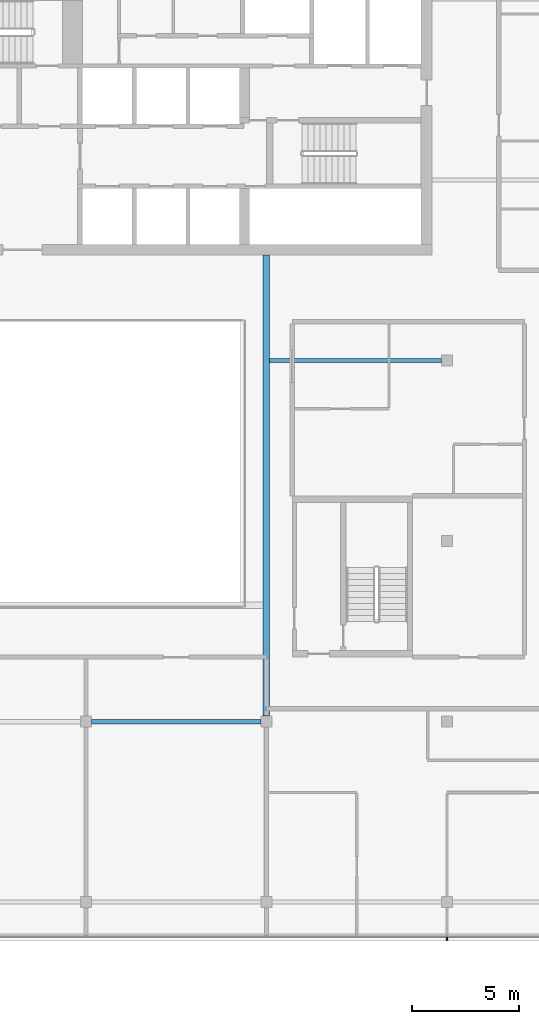
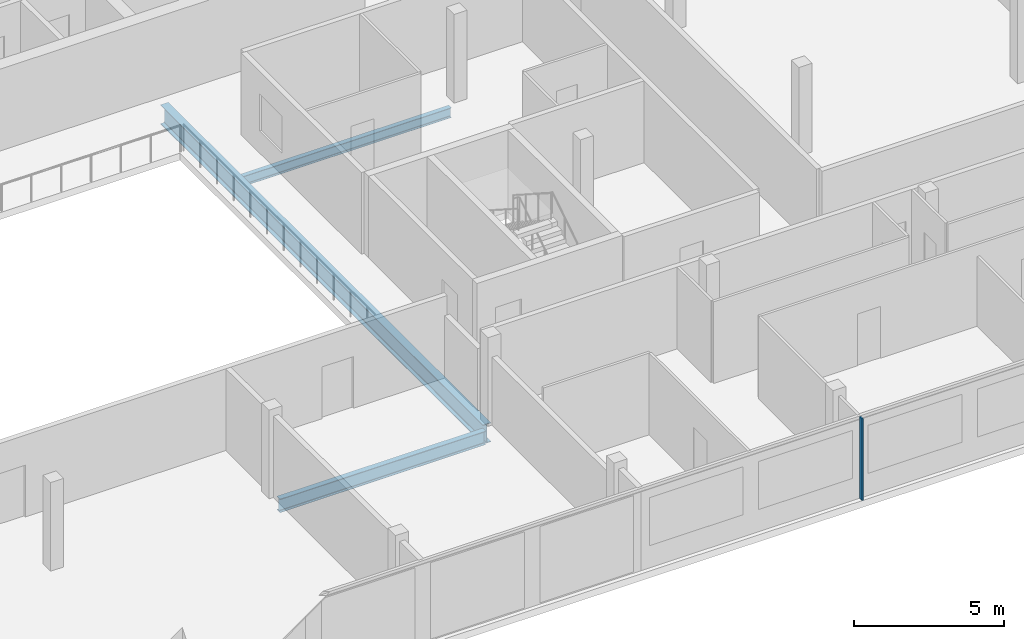
# One storey, part 6 of 27: 3 beams, 1 member, 1 element without a shape of its own.
"""IFC4 building model written with IfcOpenShell, lengths in metres."""

from ifc_helpers import new_model, si_unit, direction, frame, origin, origin_2d, place, context, subcontext, project, spatial, rectangle, i_section, extrude, material, material_profile, profile_set, type_object, element, aggregate, save


model = new_model("IFC4")

# Units and contexts
model_context = context("Model", 3, precision=1e-05, world=origin(), true_north=direction((0.0, 1.0)))
body_context = subcontext(model_context, "Body", "Model", "MODEL_VIEW")
ifc_project = project(units=[si_unit("LENGTHUNIT", "METRE"), si_unit("AREAUNIT", "SQUARE_METRE"), si_unit("VOLUMEUNIT", "CUBIC_METRE"), si_unit("PLANEANGLEUNIT", "RADIAN"), si_unit("MASSUNIT", "GRAM", prefix="KILO")], contexts=[model_context])

# Site, building, storey
site_placement = place(None, origin())
site = spatial("IfcSite", under=ifc_project, at=site_placement, CompositionType="ELEMENT")
building_placement = place(site_placement, origin())
building = spatial("IfcBuilding", under=site, at=building_placement, Name="Saffron Gate Tower", CompositionType="ELEMENT")
storey_placement = place(building_placement, frame((0.0, 0.0, 267.14990234375)))
storey = spatial("IfcBuildingStorey", under=building, at=storey_placement, Name="L64", CompositionType="ELEMENT", Elevation=267.14990234375)

# Beams
ifc_material_1 = material(Name="Structural steel S355", Category="steel")
ifc_material_profile_1 = material_profile(ifc_material_1, i_section(OverallWidth=0.2099609375, OverallDepth=0.550048828125, WebThickness=0.010986328125, FlangeThickness=0.01708984375, FilletRadius=0.02392578125, at=origin_2d()))
ifc_profile_set_1 = profile_set([ifc_material_profile_1], Name="Structural steel S355")
beam_type_1 = type_object("IfcBeamType", Name="B12 IPE 550", PredefinedType="BEAM", material=ifc_profile_set_1)
beam_1_placement = place(storey_placement, frame((92.050048828125, 40.199951171875, -0.554931640625), z_axis=(1.0, 0.0, 0.0), x_axis=(0.0, 1.0, 0.0)))
element("IfcBeam", 1, at=beam_1_placement, inside=storey, type_object=beam_type_1, Name="B12 FLOOR GIRDER", PredefinedType="BEAM", context=body_context, shape_type="SweptSolid", body=[
    extrude(i_section(OverallWidth=0.2099609375, OverallDepth=0.550048828125, WebThickness=0.010986328125, FlangeThickness=0.01708984375, FilletRadius=0.02392578125, at=origin_2d()), origin(), (0.0, 0.0, 1.0), 7.89990234375),
])
ifc_material_profile_2 = material_profile(ifc_material_1, i_section(OverallWidth=0.300048828125, OverallDepth=0.7900390625, WebThickness=0.014892578125, FlangeThickness=0.028076171875, FilletRadius=0.030029296875, at=origin_2d()))
ifc_profile_set_2 = profile_set([ifc_material_profile_2], Name="Structural steel S355")
beam_type_2 = type_object("IfcBeamType", Name="B18 HEA 800", PredefinedType="BEAM", material=ifc_profile_set_2)
beam_2_placement = place(storey_placement, frame((100.199951171875, 40.449951171875, -0.6748046875), z_axis=(0.0, 1.0, 0.0), x_axis=(-1.0, 0.0, 0.0)))
element("IfcBeam", 2, at=beam_2_placement, inside=storey, type_object=beam_type_2, Name="B18 ATRIUM GIRDER", PredefinedType="BEAM", context=body_context, shape_type="SweptSolid", body=[
    extrude(i_section(OverallWidth=0.300048828125, OverallDepth=0.7900390625, WebThickness=0.014892578125, FlangeThickness=0.028076171875, FilletRadius=0.030029296875, at=origin_2d()), origin(), (0.0, 0.0, 1.0), 21.449951171875),
])
ifc_material_profile_3 = material_profile(ifc_material_1, i_section(OverallWidth=0.179931640625, OverallDepth=0.39990234375, WebThickness=0.008544921875, FlangeThickness=0.013427734375, FilletRadius=0.02099609375, at=origin_2d()))
ifc_profile_set_3 = profile_set([ifc_material_profile_3], Name="Structural steel S355")
beam_type_3 = type_object("IfcBeamType", Name="B4 IPE 400", PredefinedType="BEAM", material=ifc_profile_set_3)
beam_3_placement = place(storey_placement, frame((108.35009765625, 57.0, -0.47998046875), z_axis=(-1.0, 0.0, 0.0), x_axis=(0.0, -1.0, 0.0)))
element("IfcBeam", 3, at=beam_3_placement, inside=storey, type_object=beam_type_3, Name="B4 CORE TIE BEAM", PredefinedType="BEAM", context=body_context, shape_type="SweptSolid", body=[
    extrude(i_section(OverallWidth=0.179931640625, OverallDepth=0.39990234375, WebThickness=0.008544921875, FlangeThickness=0.013427734375, FilletRadius=0.02099609375, at=origin_2d()), origin(), (0.0, 0.0, 1.0), 8.0),
])

# Curtain wall, member
ifc_material_2 = material(Name="Aluminium, bronze anodised", Category="aluminium")
curtain_wall_type = type_object("IfcCurtainWallType", Name="CWS1 curtain wall front facade", PredefinedType="NOTDEFINED", material=ifc_material_2)
curtain_wall_placement = place(storey_placement, origin())
curtain_wall = element("IfcCurtainWall", 4, at=curtain_wall_placement, inside=storey, type_object=curtain_wall_type, Name="CWS1 run 1", PredefinedType="NOTDEFINED")
ifc_material_profile_4 = material_profile(ifc_material_2, rectangle(XDim=0.159912109375, YDim=0.06005859375, at=origin_2d()))
ifc_profile_set_4 = profile_set([ifc_material_profile_4], Name="Aluminium, bronze anodised")
member_type = type_object("IfcMemberType", Name="CWS1 mullion 60x160", PredefinedType="MULLION", material=ifc_profile_set_4)
member_placement = place(storey_placement, frame((108.60009765625, 30.080078125, 0.0), z_axis=(0.0, 0.0, 1.0), x_axis=(0.0, 1.0, 0.0)))
member = element("IfcMember", 5, at=member_placement, type_object=member_type, Name="CWS1 mullion 8", PredefinedType="MULLION", context=body_context, shape_type="SweptSolid", body=[
    extrude(rectangle(XDim=0.159912109375, YDim=0.06005859375, at=origin_2d()), origin(), (0.0, 0.0, 1.0), 3.320068359375),
])
aggregate(curtain_wall, [member])

save(model, "model.ifc")
